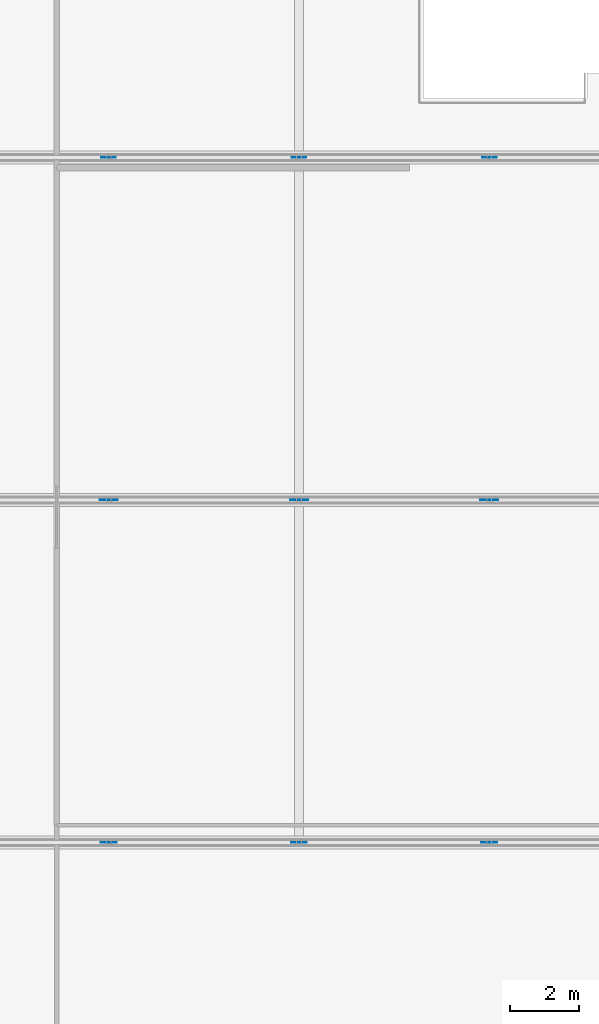
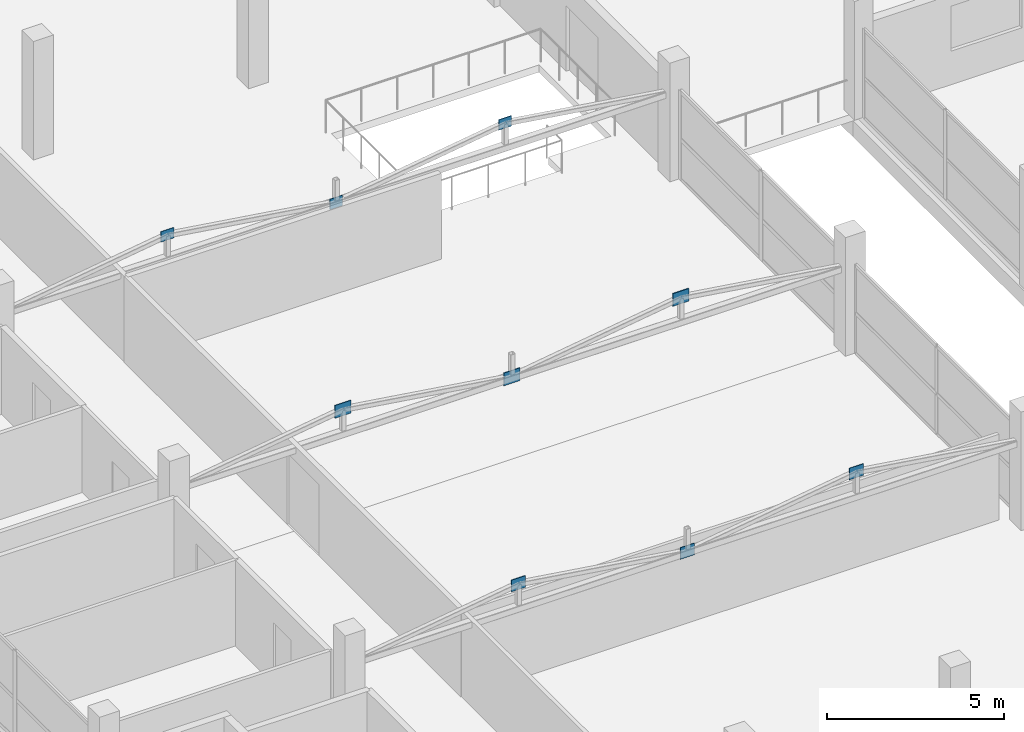
# One storey, part 44 of 53: 9 plates.
"""IFC4 building model written with IfcOpenShell, lengths in metres."""

from ifc_helpers import new_model, si_unit, direction, frame, origin, origin_2d, place, context, subcontext, project, spatial, rectangle, extrude, material, layer, layer_set, type_object, element, save


model = new_model("IFC4")

# Units and contexts
model_context = context("Model", 3, precision=1e-05, world=origin(), true_north=direction((0.0, 1.0)))
body_context = subcontext(model_context, "Body", "Model", "MODEL_VIEW")
ifc_project = project(units=[si_unit("LENGTHUNIT", "METRE"), si_unit("AREAUNIT", "SQUARE_METRE"), si_unit("VOLUMEUNIT", "CUBIC_METRE"), si_unit("PLANEANGLEUNIT", "RADIAN"), si_unit("MASSUNIT", "GRAM", prefix="KILO")], contexts=[model_context])

# Site, building, storey
site_placement = place(None, origin())
site = spatial("IfcSite", under=ifc_project, at=site_placement, CompositionType="ELEMENT")
building_placement = place(site_placement, origin())
building = spatial("IfcBuilding", under=site, at=building_placement, Name="Sillaruma Civic Art Gallery", CompositionType="ELEMENT")
storey_placement = place(building_placement, frame((0.0, 0.0, 70.3798828125)))
storey = spatial("IfcBuildingStorey", under=building, at=storey_placement, Name="L14", CompositionType="ELEMENT", Elevation=70.3798828125)

# Plates
ifc_material = material(Name="Structural Steel ASTM A992 Gr.50", Category="steel")
ifc_layer_1 = layer(ifc_material, 0.01806640625, Name="Structural Steel ASTM A992 Gr.50")
ifc_layer_set_1 = layer_set([ifc_layer_1], Name="Structural Steel ASTM A992 Gr.50")
plate_type_1 = type_object("IfcPlateType", Name="PLT-GUS-18", PredefinedType="SHEET", material=ifc_layer_set_1)
for number, where, z_axis, x_axis, name in (
    (1, (75.5, 69.300048828125, 3.46826171875), (0.0, 0.0, 1.0), (1.0, 0.0, 0.0), "Truss Gusset Plate GP-03 (TR-L14-3-1)"),
    (2, (81.0, 69.300048828125, 2.66015625), (0.0, 0.0, 1.0), (1.0, 0.0, 0.0), "Truss Gusset Plate GP-03 (TR-L14-3-2)"),
    (3, (86.5, 69.300048828125, 3.46826171875), (0.0, 0.0, 1.0), (1.0, 0.0, 0.0), "Truss Gusset Plate GP-03 (TR-L14-3-3)"),
):
    element("IfcPlate", number, at=place(storey_placement, frame(where, z_axis=z_axis, x_axis=x_axis)), inside=storey, type_object=plate_type_1, Name=name, PredefinedType="SHEET", context=body_context, shape_type="SweptSolid", body=[
        extrude(rectangle(XDim=0.419921875, YDim=0.01806640625, at=origin_2d()), origin(), (0.0, 0.0, 1.0), 0.360107421875),
    ])
ifc_layer_2 = layer(ifc_material, 0.02001953125, Name="Structural Steel ASTM A992 Gr.50")
ifc_layer_set_2 = layer_set([ifc_layer_2], Name="Structural Steel ASTM A992 Gr.50")
plate_type_2 = type_object("IfcPlateType", Name="PLT-GUS-20", PredefinedType="SHEET", material=ifc_layer_set_2)
for number, where, z_axis, x_axis, name in (
    (4, (75.5, 49.5, 3.4482421875), (0.0, 0.0, 1.0), (1.0, 0.0, 0.0), "Truss Gusset Plate GP-01 (TR-L14-1-1)"),
    (5, (81.0, 49.5, 2.64013671875), (0.0, 0.0, 1.0), (1.0, 0.0, 0.0), "Truss Gusset Plate GP-01 (TR-L14-1-2)"),
    (6, (86.5, 49.5, 3.4482421875), (0.0, 0.0, 1.0), (1.0, 0.0, 0.0), "Truss Gusset Plate GP-01 (TR-L14-1-3)"),
):
    element("IfcPlate", number, at=place(storey_placement, frame(where, z_axis=z_axis, x_axis=x_axis)), inside=storey, type_object=plate_type_2, Name=name, PredefinedType="SHEET", context=body_context, shape_type="SweptSolid", body=[
        extrude(rectangle(XDim=0.4599609375, YDim=0.02001953125, at=origin_2d()), origin(), (0.0, 0.0, 1.0), 0.39990234375),
    ])
ifc_layer_3 = layer(ifc_material, 0.02392578125, Name="Structural Steel ASTM A992 Gr.50")
ifc_layer_set_3 = layer_set([ifc_layer_3], Name="Structural Steel ASTM A992 Gr.50")
plate_type_3 = type_object("IfcPlateType", Name="PLT-GUS-24", PredefinedType="SHEET", material=ifc_layer_set_3)
for number, where, z_axis, x_axis, name in (
    (7, (75.5, 59.39990234375, 3.42822265625), (0.0, 0.0, 1.0), (1.0, 0.0, 0.0), "Truss Gusset Plate GP-02 (TR-L14-2-1)"),
    (8, (81.0, 59.39990234375, 2.6201171875), (0.0, 0.0, 1.0), (1.0, 0.0, 0.0), "Truss Gusset Plate GP-02 (TR-L14-2-2)"),
    (9, (86.5, 59.39990234375, 3.42822265625), (0.0, 0.0, 1.0), (1.0, 0.0, 0.0), "Truss Gusset Plate GP-02 (TR-L14-2-3)"),
):
    element("IfcPlate", number, at=place(storey_placement, frame(where, z_axis=z_axis, x_axis=x_axis)), inside=storey, type_object=plate_type_3, Name=name, PredefinedType="SHEET", context=body_context, shape_type="SweptSolid", body=[
        extrude(rectangle(XDim=0.52001953125, YDim=0.02392578125, at=origin_2d()), origin(), (0.0, 0.0, 1.0), 0.43994140625),
    ])

save(model, "model.ifc")
